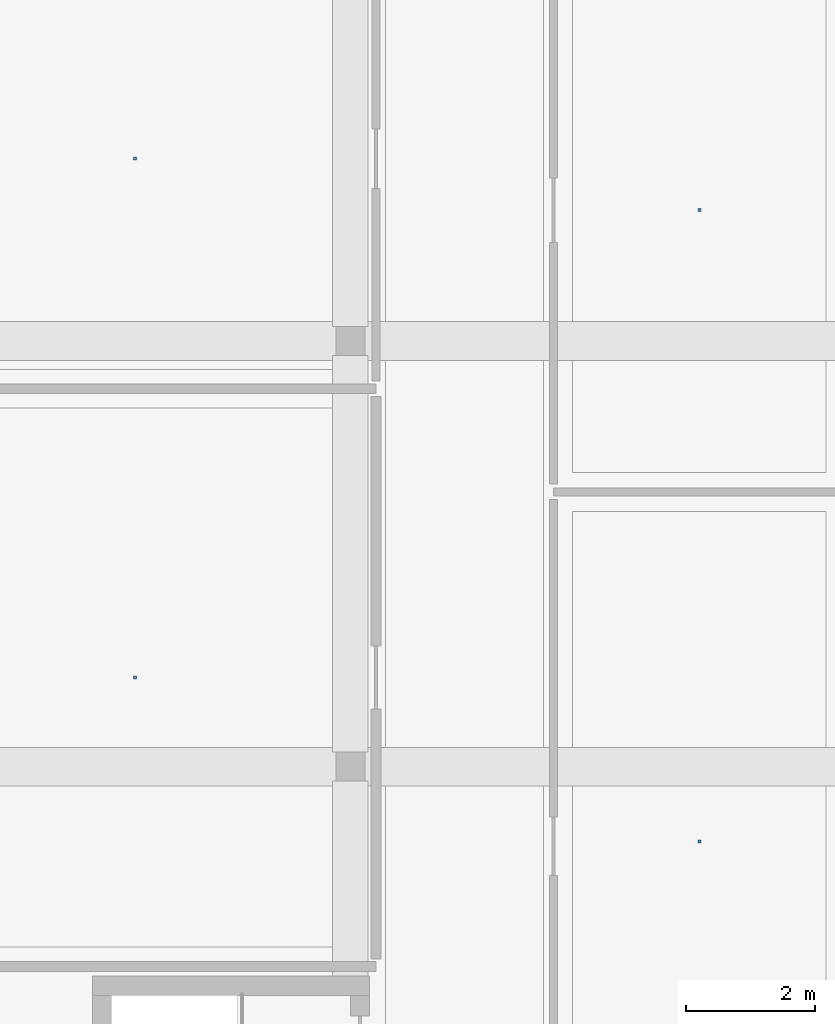
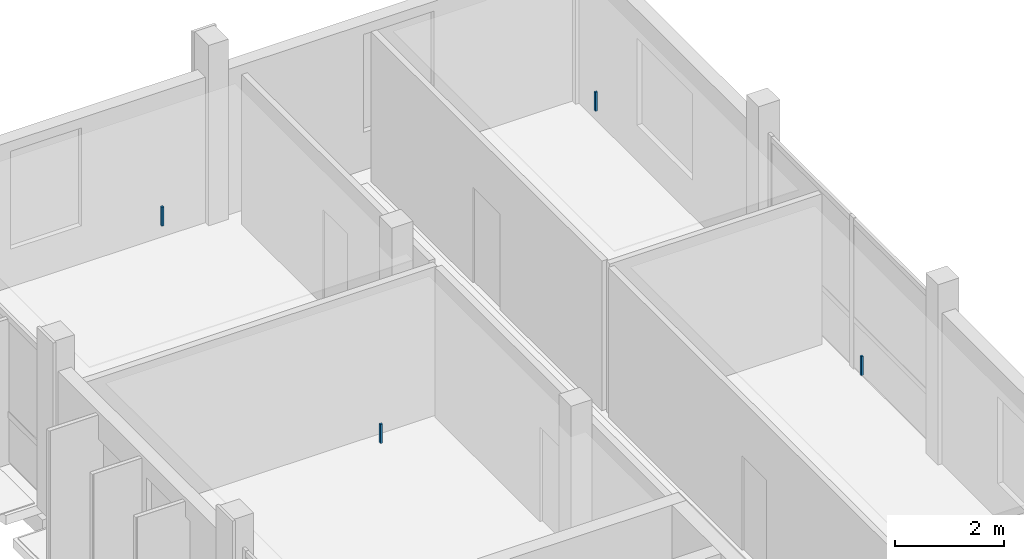
# One storey, part 34 of 48: 4 discrete accessories.
"""IFC4 building model written with IfcOpenShell, lengths in metres."""

from ifc_helpers import new_model, si_unit, derived_unit, direction, frame, origin, origin_2d, place, context, subcontext, project, spatial, rectangle, extrude, material, type_object, element, save


model = new_model("IFC4")

# Units and contexts
model_context = context("Model", 3, precision=1e-05, world=origin(), true_north=direction((0.0, 1.0)))
body_context = subcontext(model_context, "Body", "Model", "MODEL_VIEW")
ifc_project = project(units=[si_unit("LENGTHUNIT", "METRE"), si_unit("AREAUNIT", "SQUARE_METRE"), si_unit("VOLUMEUNIT", "CUBIC_METRE"), si_unit("PLANEANGLEUNIT", "RADIAN"), si_unit("MASSUNIT", "GRAM", prefix="KILO"), derived_unit("THERMALTRANSMITTANCEUNIT", [(si_unit("POWERUNIT", "WATT"), 1), (si_unit("LENGTHUNIT", "METRE"), -2), (si_unit("THERMODYNAMICTEMPERATUREUNIT", "KELVIN"), -1)])], contexts=[model_context])

# Site, building, storey
site_placement = place(None, origin())
site = spatial("IfcSite", under=ifc_project, at=site_placement, CompositionType="ELEMENT")
building_placement = place(site_placement, origin())
building = spatial("IfcBuilding", under=site, at=building_placement, Name="Braskholm Square Health Centre", CompositionType="ELEMENT")
storey_placement = place(building_placement, frame((0.0, 0.0, 17.550048828125)))
storey = spatial("IfcBuildingStorey", under=building, at=storey_placement, Name="L05", CompositionType="ELEMENT", Elevation=17.550048828125)

# Discrete accessories
ifc_material = material(Name="Steel ASTM A500 Grade C", Category="steel")
discrete_accessory_type = type_object("IfcDiscreteAccessoryType", Name="CeilingSuspensionBracket", PredefinedType="BRACKET", material=ifc_material)
for number, where, z_axis, x_axis, name in (
    (1, (8.06005859375, 101.780029296875, 3.35205078125), (0.0, 0.0, 1.0), (1.0, 0.0, 0.0), "Ceiling hanger bracket 0087"),
    (2, (8.06005859375, 109.830078125, 3.35205078125), (0.0, 0.0, 1.0), (1.0, 0.0, 0.0), "Ceiling hanger bracket 0088"),
    (3, (16.81494140625, 99.239990234375, 3.35205078125), (0.0, 0.0, 1.0), (1.0, 0.0, 0.0), "Ceiling hanger bracket 0093"),
    (4, (16.81494140625, 109.030029296875, 3.35205078125), (0.0, 0.0, 1.0), (1.0, 0.0, 0.0), "Ceiling hanger bracket 0094"),
):
    element("IfcDiscreteAccessory", number, at=place(storey_placement, frame(where, z_axis=z_axis, x_axis=x_axis)), inside=storey, type_object=discrete_accessory_type, Name=name, PredefinedType="BRACKET", context=body_context, shape_type="SweptSolid", body=[
        extrude(rectangle(XDim=0.044921875, YDim=0.044921875, at=origin_2d()), origin(), (0.0, 0.0, 1.0), 0.429931640625),
    ])

save(model, "model.ifc")
